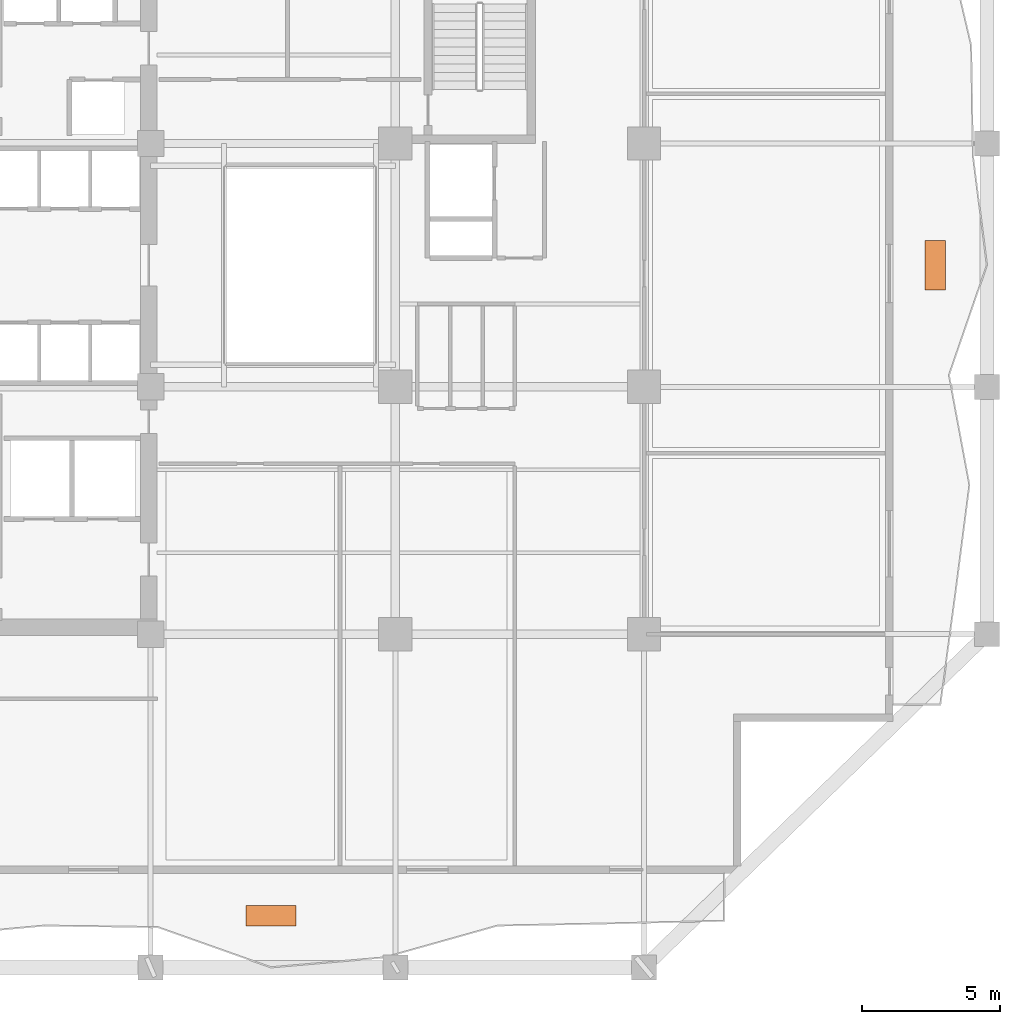
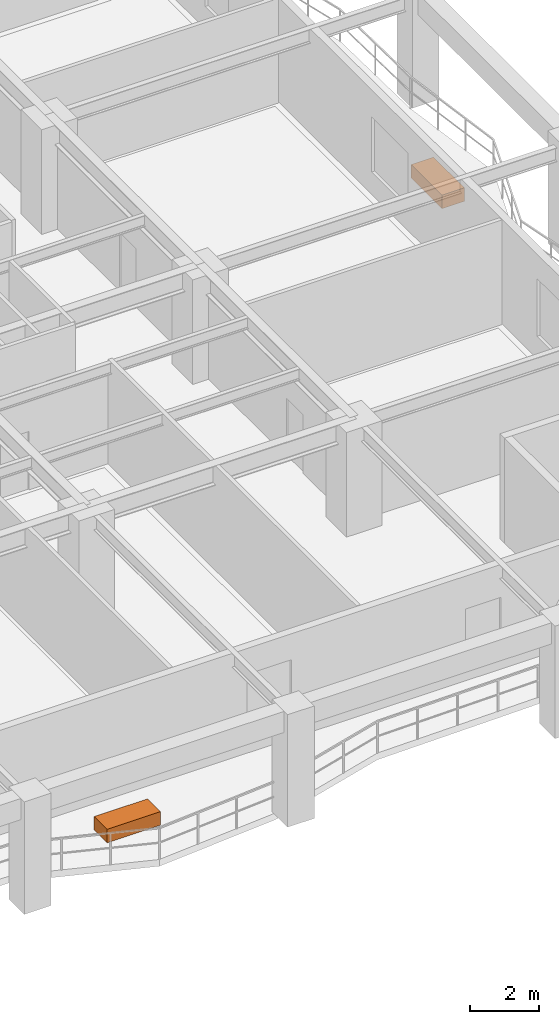
# One storey, part 12 of 12: 2 proxies.
"""IFC4 building model written with IfcOpenShell, lengths in metres."""

from ifc_helpers import new_model, si_unit, direction, frame, origin, origin_2d, place, context, subcontext, project, spatial, rectangle, extrude, material, type_object, element, save


model = new_model("IFC4")

# Units and contexts
model_context = context("Model", 3, precision=1e-05, world=origin(), true_north=direction((0.0, 1.0)))
body_context = subcontext(model_context, "Body", "Model", "MODEL_VIEW")
ifc_project = project(units=[si_unit("LENGTHUNIT", "METRE"), si_unit("AREAUNIT", "SQUARE_METRE"), si_unit("VOLUMEUNIT", "CUBIC_METRE"), si_unit("PLANEANGLEUNIT", "RADIAN"), si_unit("MASSUNIT", "GRAM", prefix="KILO")], contexts=[model_context])

# Site, building, storey
site_placement = place(None, origin())
site = spatial("IfcSite", under=ifc_project, at=site_placement, CompositionType="ELEMENT")
building_placement = place(site_placement, origin())
building = spatial("IfcBuilding", under=site, at=building_placement, Name="Kundavana Baori Tower", CompositionType="ELEMENT")
storey_placement = place(building_placement, frame((0.0, 0.0, 42.0)))
storey = spatial("IfcBuildingStorey", under=building, at=storey_placement, Name="L09", CompositionType="ELEMENT", Elevation=42.0)

# Proxies
ifc_material = material(Name="Red-Buff Dholpur Sandstone Cladding on Concrete C40/50", Category="masonry")
building_element_proxy_type = type_object("IfcBuildingElementProxyType", Name="PRX-PLANTER-1800", PredefinedType="USERDEFINED", material=ifc_material)
for number, where, z_axis, x_axis, name in (
    (1, (29.300048828125, 5.070068359375, 0.0), (0.0, 0.0, 1.0), (1.0, 0.0, 0.0), "L09 Dholpur Stone Structural Tree Planter S"),
    (2, (53.330078125, 28.60009765625, 0.0), (0.0, 0.0, 1.0), (0.0, 1.0, 0.0), "L09 Dholpur Stone Structural Tree Planter E"),
):
    element("IfcBuildingElementProxy", number, at=place(storey_placement, frame(where, z_axis=z_axis, x_axis=x_axis)), inside=storey, type_object=building_element_proxy_type, Name=name, ObjectType="PLANTER", PredefinedType="USERDEFINED", context=body_context, shape_type="SweptSolid", body=[
        extrude(rectangle(XDim=1.800048828125, YDim=0.75, at=origin_2d()), origin(), (0.0, 0.0, 1.0), 0.47998046875),
    ])

save(model, "model.ifc")
